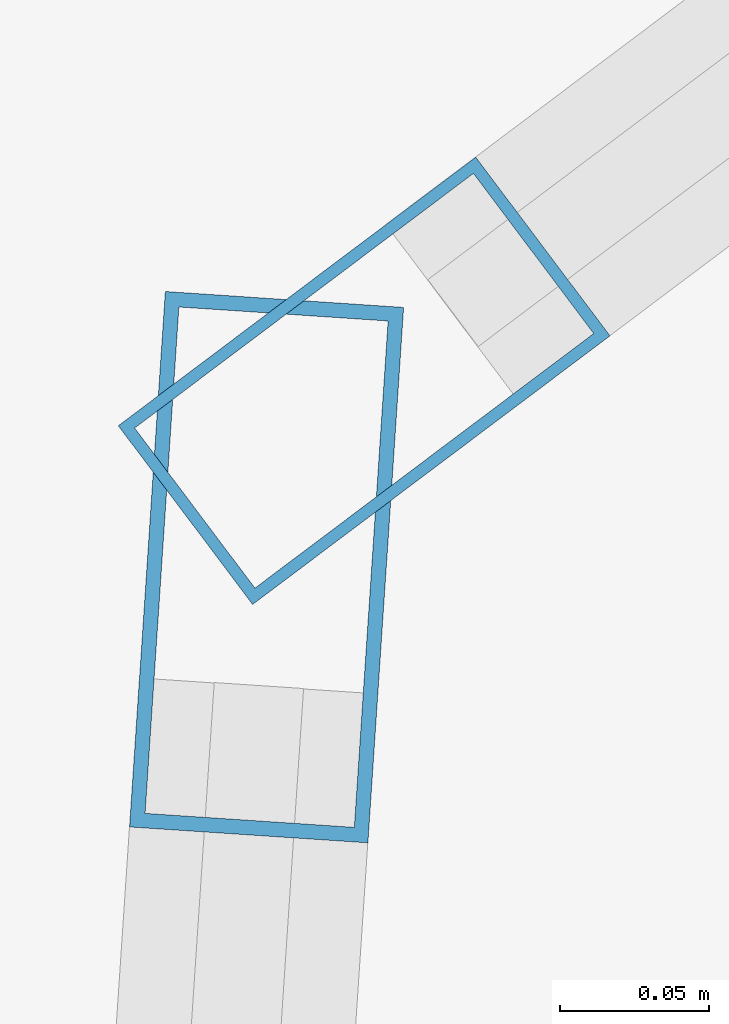
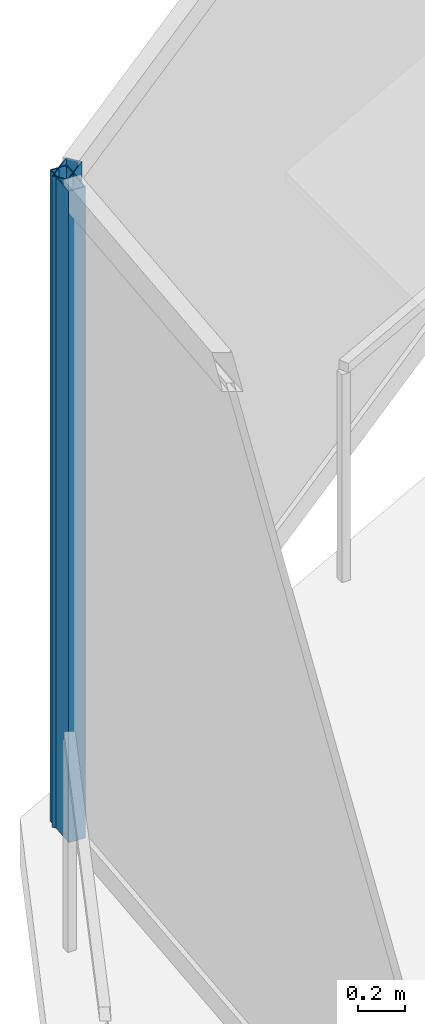
# One storey, part 16 of 31: 2 members, 2 elements without a shape of their own.
"""IFC4 building model written with IfcOpenShell, lengths in metres."""

from ifc_helpers import new_model, si_unit, direction, frame, origin, origin_2d, place, context, subcontext, project, spatial, hollow_rectangle, extrude, material, layer, layer_set, material_profile, profile_set, type_object, element, aggregate, save


model = new_model("IFC4")

# Units and contexts
model_context = context("Model", 3, precision=1e-05, world=origin(), true_north=direction((0.0, 1.0)))
body_context = subcontext(model_context, "Body", "Model", "MODEL_VIEW")
ifc_project = project(units=[si_unit("LENGTHUNIT", "METRE"), si_unit("AREAUNIT", "SQUARE_METRE"), si_unit("VOLUMEUNIT", "CUBIC_METRE"), si_unit("PLANEANGLEUNIT", "RADIAN"), si_unit("MASSUNIT", "GRAM", prefix="KILO")], contexts=[model_context])

# Site, building, storey
site_placement = place(None, origin())
site = spatial("IfcSite", under=ifc_project, at=site_placement, CompositionType="ELEMENT")
building_placement = place(site_placement, origin())
building = spatial("IfcBuilding", under=site, at=building_placement, Name="Kazevale Care Tower and Concert Hall", CompositionType="ELEMENT")
storey_placement = place(building_placement, frame((0.0, 0.0, 124.199951171875)))
storey = spatial("IfcBuildingStorey", under=building, at=storey_placement, Name="L32", CompositionType="ELEMENT", Elevation=124.199951171875)

# Curtain wall, member
ifc_material_1 = material(Name="Aluminium 6063-T6 and Low-E Glass", Category="aluminium")
ifc_layer_1 = layer(ifc_material_1, 0.179931640625)
ifc_layer_set_1 = layer_set([ifc_layer_1], Name="Aluminium 6063-T6 and Low-E Glass")
curtain_wall_type_1 = type_object("IfcCurtainWallType", Name="Convex Recessed Sunroom Curtain Wall CW-3", PredefinedType="NOTDEFINED", material=ifc_layer_set_1)
curtain_wall_1_placement = place(storey_placement, origin())
curtain_wall_1 = element("IfcCurtainWall", 1, at=curtain_wall_1_placement, inside=storey, type_object=curtain_wall_type_1, Name="cw:L32:f14", PredefinedType="NOTDEFINED")
ifc_material_2 = material(Name="Aluminium 6063-T6", Category="aluminium")
ifc_material_profile_1 = material_profile(ifc_material_2, hollow_rectangle(XDim=0.074951171875, YDim=0.14990234375, WallThickness=0.00390625, at=origin_2d()), Name="ALU75x150x4")
ifc_profile_set_1 = profile_set([ifc_material_profile_1], Name="Aluminium 6063-T6")
member_type_1 = type_object("IfcMemberType", Name="CW-3 Mullion ALU75x150x4", PredefinedType="MULLION", material=ifc_profile_set_1)
member_1_placement = place(storey_placement, frame((16.55908203125, 49.66748046875, 0.0), z_axis=(0.0, 0.0, 1.0), x_axis=(-0.600797902474, 0.799400950952, 0.0)))
member_1 = element("IfcMember", 2, at=member_1_placement, type_object=member_type_1, Name="CW-3 mullion 1", PredefinedType="MULLION", context=body_context, shape_type="SweptSolid", body=[
    extrude(hollow_rectangle(XDim=0.074951171875, YDim=0.14990234375, WallThickness=0.00390625, at=origin_2d()), origin(), (0.0, 0.0, 1.0), 3.360107421875),
])
aggregate(curtain_wall_1, [member_1])

ifc_layer_2 = layer(ifc_material_1, 0.179931640625)
ifc_layer_set_2 = layer_set([ifc_layer_2], Name="Aluminium 6063-T6 and Low-E Glass")
curtain_wall_type_2 = type_object("IfcCurtainWallType", Name="Waist & Upper Residential Curtain Wall CW-4", PredefinedType="NOTDEFINED", material=ifc_layer_set_2)
curtain_wall_2_placement = place(storey_placement, origin())
curtain_wall_2 = element("IfcCurtainWall", 3, at=curtain_wall_2_placement, inside=storey, type_object=curtain_wall_type_2, Name="cw:L32:f13", PredefinedType="NOTDEFINED")
ifc_material_profile_2 = material_profile(ifc_material_2, hollow_rectangle(XDim=0.080078125, YDim=0.179931640625, WallThickness=0.0048828125, at=origin_2d()), Name="ALU80x180x5")
ifc_profile_set_2 = profile_set([ifc_material_profile_2], Name="Aluminium 6063-T6")
member_type_2 = type_object("IfcMemberType", Name="CW-4 Mullion ALU80x180x5", PredefinedType="MULLION", material=ifc_profile_set_2)
member_2_placement = place(storey_placement, frame((16.5263671875, 49.60498046875, 0.0), z_axis=(0.0, 0.0, 1.0), x_axis=(-0.997778418439, 0.06662002475, 0.0)))
member_2 = element("IfcMember", 4, at=member_2_placement, type_object=member_type_2, Name="CW-4 mullion 2", PredefinedType="MULLION", context=body_context, shape_type="SweptSolid", body=[
    extrude(hollow_rectangle(XDim=0.080078125, YDim=0.179931640625, WallThickness=0.0048828125, at=origin_2d()), origin(), (0.0, 0.0, 1.0), 3.360107421875),
])
aggregate(curtain_wall_2, [member_2])

save(model, "model.ifc")
